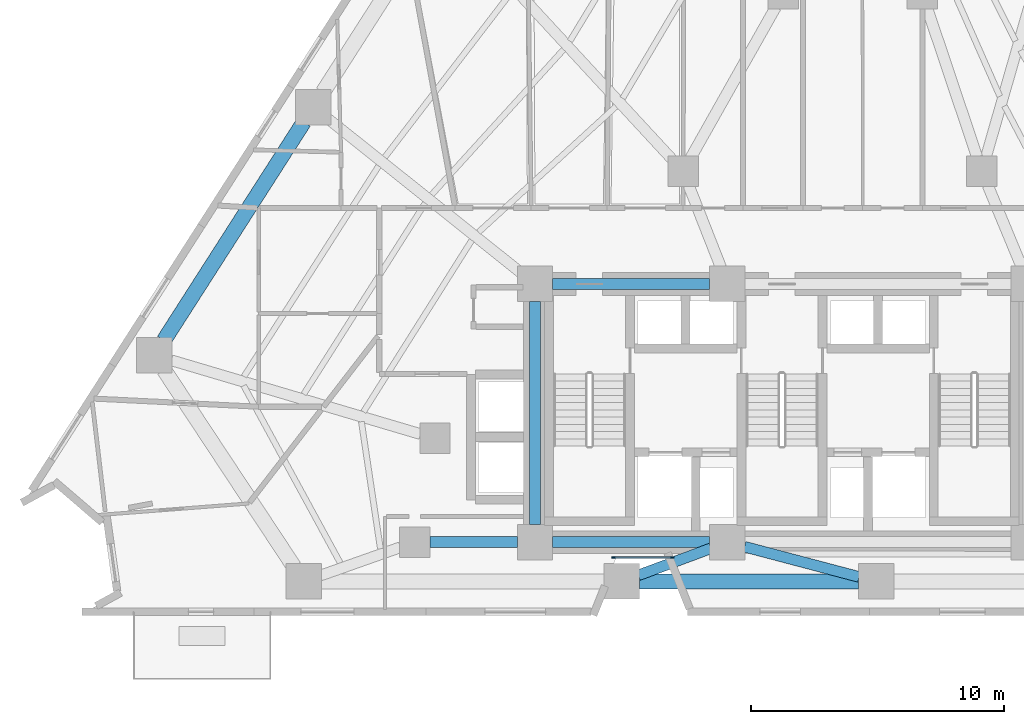
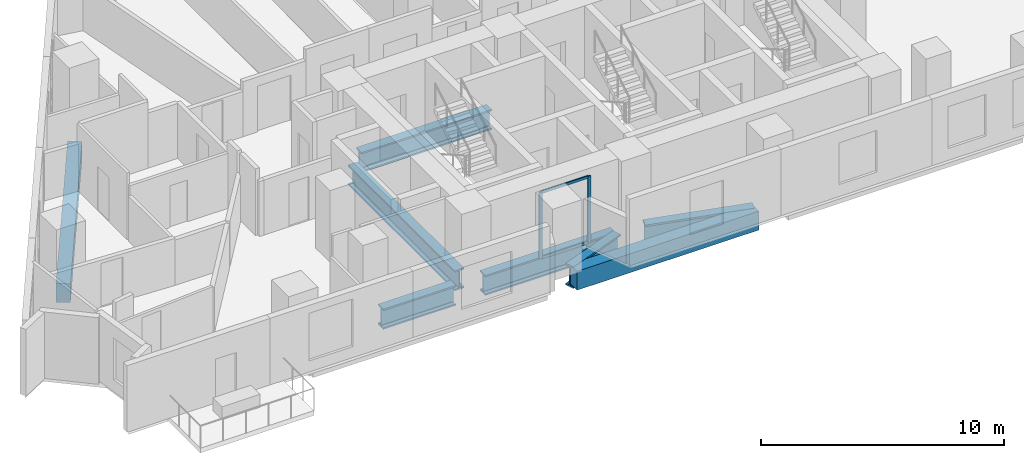
# One storey, part 2 of 15: 8 beams, 4 members, 1 element without a shape of its own.
"""IFC4 building model written with IfcOpenShell, lengths in metres."""

from ifc_helpers import new_model, si_unit, direction, frame, origin, origin_2d, place, context, subcontext, project, spatial, rectangle, i_section, extrude, material, layer, layer_set, material_profile, profile_set, type_object, element, aggregate, save


model = new_model("IFC4")

# Units and contexts
model_context = context("Model", 3, precision=1e-05, world=origin(), true_north=direction((0.0, 1.0)))
body_context = subcontext(model_context, "Body", "Model", "MODEL_VIEW")
ifc_project = project(units=[si_unit("LENGTHUNIT", "METRE"), si_unit("AREAUNIT", "SQUARE_METRE"), si_unit("VOLUMEUNIT", "CUBIC_METRE"), si_unit("PLANEANGLEUNIT", "RADIAN"), si_unit("MASSUNIT", "GRAM", prefix="KILO")], contexts=[model_context])

# Site, building, storey
site_placement = place(None, origin())
site = spatial("IfcSite", under=ifc_project, at=site_placement, CompositionType="ELEMENT")
building_placement = place(site_placement, origin())
building = spatial("IfcBuilding", under=site, at=building_placement, Name="Almagre Mirador Tower", CompositionType="ELEMENT")
storey_placement = place(building_placement, frame((0.0, 0.0, 39.0)))
storey = spatial("IfcBuildingStorey", under=building, at=storey_placement, Name="L08", CompositionType="ELEMENT", Elevation=39.0)

# Beams
ifc_material_1 = material(Name="Precast concrete C50/60", Category="concrete")
ifc_material_profile_1 = material_profile(ifc_material_1, rectangle(XDim=0.60009765625, YDim=0.949951171875, at=origin_2d()), Name="RC600X950")
ifc_profile_set_1 = profile_set([ifc_material_profile_1], Name="Precast concrete C50/60")
beam_type_1 = type_object("IfcBeamType", Name="BM-SPN-RC600X950", PredefinedType="SPANDREL", material=ifc_profile_set_1)
beam_1_placement = place(storey_placement, frame((31.676025390625, 3.0, -0.72509765625), z_axis=(1.0, 0.0, 0.0), x_axis=(0.0, 1.0, 0.0)))
element("IfcBeam", 1, at=beam_1_placement, inside=storey, type_object=beam_type_1, Name="L08 perimeter spandrel beam PC02-PC03", PredefinedType="SPANDREL", context=body_context, shape_type="SweptSolid", body=[
    extrude(rectangle(XDim=0.60009765625, YDim=0.949951171875, at=origin_2d()), origin(), (0.0, 0.0, 1.0), 8.64794921875),
])
beam_2_placement = place(storey_placement, frame((18.42041015625, 21.1435546875, -0.72509765625), z_axis=(-0.539549548581, -0.841953849463, 0.0), x_axis=(0.841953849463, -0.539549548581, 0.0)))
element("IfcBeam", 2, at=beam_2_placement, inside=storey, type_object=beam_type_1, Name="L08 perimeter spandrel beam PC11-PC12", PredefinedType="SPANDREL", context=body_context, shape_type="SweptSolid", body=[
    extrude(rectangle(XDim=0.60009765625, YDim=0.949951171875, at=origin_2d()), origin(), (0.0, 0.0, 1.0), 10.239501953125),
])
ifc_material_2 = material(Name="Steel ASTM A992 Grade 50", Category="steel")
ifc_material_profile_2 = material_profile(ifc_material_2, i_section(OverallWidth=0.43701171875, OverallDepth=1.010986328125, WebThickness=0.041015625, FlangeThickness=0.073974609375, FilletRadius=0.028076171875, at=origin_2d()), Name="W36X529")
ifc_profile_set_2 = profile_set([ifc_material_profile_2], Name="Steel ASTM A992 Grade 50")
beam_type_2 = type_object("IfcBeamType", Name="BM-STL-W36X529", PredefinedType="BEAM", material=ifc_profile_set_2)
for number, where, z_axis, x_axis, name in (
    (3, (28.25, 4.550048828125, -0.755615234375), (1.0, 0.0, 0.0), (0.0, 1.0, 0.0), "L08 core tie girder CC1-CC2"),
    (4, (28.25, 14.75, -0.755615234375), (1.0, 0.0, 0.0), (0.0, 1.0, 0.0), "L08 core tie girder CC4-CC5"),
):
    element("IfcBeam", number, at=place(storey_placement, frame(where, z_axis=z_axis, x_axis=x_axis)), inside=storey, type_object=beam_type_2, Name=name, PredefinedType="BEAM", context=body_context, shape_type="SweptSolid", body=[
        extrude(i_section(OverallWidth=0.43701171875, OverallDepth=1.010986328125, WebThickness=0.041015625, FlangeThickness=0.073974609375, FilletRadius=0.028076171875, at=origin_2d()), origin(), (0.0, 0.0, 1.0), 6.199951171875),
    ])
beam_3_placement = place(storey_placement, frame((27.550048828125, 5.25, -0.755615234375), z_axis=(0.0, 1.0, 0.0), x_axis=(-1.0, 0.0, 0.0)))
element("IfcBeam", 5, at=beam_3_placement, inside=storey, type_object=beam_type_2, Name="L08 core tie girder CC1-CC4", PredefinedType="BEAM", context=body_context, shape_type="SweptSolid", body=[
    extrude(i_section(OverallWidth=0.43701171875, OverallDepth=1.010986328125, WebThickness=0.041015625, FlangeThickness=0.073974609375, FilletRadius=0.028076171875, at=origin_2d()), origin(), (0.0, 0.0, 1.0), 8.800048828125),
])
beam_4_placement = place(storey_placement, frame((23.39990234375, 4.550048828125, -0.755615234375), z_axis=(1.0, 0.0, 0.0), x_axis=(0.0, 1.0, 0.0)))
element("IfcBeam", 6, at=beam_4_placement, inside=storey, type_object=beam_type_2, Name="L08 core tie girder MC1-CC1", PredefinedType="BEAM", context=body_context, shape_type="SweptSolid", body=[
    extrude(i_section(OverallWidth=0.43701171875, OverallDepth=1.010986328125, WebThickness=0.041015625, FlangeThickness=0.073974609375, FilletRadius=0.028076171875, at=origin_2d()), origin(), (0.0, 0.0, 1.0), 3.4501953125),
])
ifc_material_3 = material(Name="Steel ASTM A913 Grade 65", Category="steel")
ifc_material_profile_3 = material_profile(ifc_material_3, i_section(OverallWidth=0.424072265625, OverallDepth=1.092041015625, WebThickness=0.04541015625, FlangeThickness=0.08203125, FilletRadius=0.030029296875, at=origin_2d()), Name="W40X593")
ifc_profile_set_3 = profile_set([ifc_material_profile_3], Name="Steel ASTM A913 Grade 65")
beam_type_3 = type_object("IfcBeamType", Name="BM-STL-W40X593", PredefinedType="BEAM", material=ifc_profile_set_3)
beam_5_placement = place(storey_placement, frame((31.632080078125, 3.24365234375, -0.7958984375), z_axis=(0.937448389948, 0.348124282669, 0.0), x_axis=(-0.348124282669, 0.937448389948, 0.0)))
element("IfcBeam", 7, at=beam_5_placement, inside=storey, type_object=beam_type_3, Name="L08 radial floor girder PC02-CC2", PredefinedType="BEAM", context=body_context, shape_type="SweptSolid", body=[
    extrude(i_section(OverallWidth=0.424072265625, OverallDepth=1.092041015625, WebThickness=0.04541015625, FlangeThickness=0.08203125, FilletRadius=0.030029296875, at=origin_2d()), origin(), (0.0, 0.0, 1.0), 3.052734375),
])
beam_6_placement = place(storey_placement, frame((40.34716796875, 3.1787109375, -0.7958984375), z_axis=(-0.966911988655, 0.255110184422, 0.0), x_axis=(-0.255110184422, -0.966911988655, 0.0)))
element("IfcBeam", 8, at=beam_6_placement, inside=storey, type_object=beam_type_3, Name="L08 radial floor girder PC03-CC2", PredefinedType="BEAM", context=body_context, shape_type="SweptSolid", body=[
    extrude(i_section(OverallWidth=0.424072265625, OverallDepth=1.092041015625, WebThickness=0.04541015625, FlangeThickness=0.08203125, FilletRadius=0.030029296875, at=origin_2d()), origin(), (0.0, 0.0, 1.0), 4.675048828125),
])

# Curtain wall, members
ifc_material_4 = material(Name="Black anodized aluminium", Category="aluminium")
ifc_layer = layer(ifc_material_4, 0.169921875)
ifc_layer_set = layer_set([ifc_layer], Name="Black anodized aluminium")
curtain_wall_type = type_object("IfcCurtainWallType", Name="CW-CRS-SYS", PredefinedType="NOTDEFINED", material=ifc_layer_set)
curtain_wall_placement = place(storey_placement, origin())
curtain_wall = element("IfcCurtainWall", 9, at=curtain_wall_placement, inside=storey, type_object=curtain_wall_type, Name="L08 vertical crease curtain wall 04", PredefinedType="NOTDEFINED")
ifc_material_5 = material(Name="Black anodized aluminium", Category="aluminium")
ifc_material_profile_4 = material_profile(ifc_material_5, rectangle(XDim=0.06005859375, YDim=0.14990234375, at=origin_2d()), Name="CWM60X150")
ifc_profile_set_4 = profile_set([ifc_material_profile_4], Name="Black anodized aluminium")
member_type_1 = type_object("IfcMemberType", Name="MBR-CWM60X150", PredefinedType="MULLION", material=ifc_profile_set_4)
member_1_placement = place(storey_placement, frame((32.962890625, 3.949951171875, 0.0), z_axis=(0.0, 0.0, 1.0), x_axis=(0.0, -1.0, 0.0)))
member_1 = element("IfcMember", 10, at=member_1_placement, type_object=member_type_1, Name="CW-4 mullion 1", PredefinedType="MULLION", context=body_context, shape_type="SweptSolid", body=[
    extrude(rectangle(XDim=0.06005859375, YDim=0.14990234375, at=origin_2d()), origin(), (0.0, 0.0, 1.0), 3.35009765625),
])
member_2_placement = place(storey_placement, frame((30.653076171875, 3.949951171875, 0.0), z_axis=(0.0, 0.0, 1.0), x_axis=(0.0, -1.0, 0.0)))
member_2 = element("IfcMember", 11, at=member_2_placement, type_object=member_type_1, Name="CW-4 mullion 2", PredefinedType="MULLION", context=body_context, shape_type="SweptSolid", body=[
    extrude(rectangle(XDim=0.06005859375, YDim=0.14990234375, at=origin_2d()), origin(), (0.0, 0.0, 1.0), 3.35009765625),
])
ifc_material_6 = material(Name="Black anodized aluminium", Category="aluminium")
ifc_material_profile_5 = material_profile(ifc_material_6, rectangle(XDim=0.06005859375, YDim=0.1298828125, at=origin_2d()), Name="CWT60X130")
ifc_profile_set_5 = profile_set([ifc_material_profile_5], Name="Black anodized aluminium")
member_type_2 = type_object("IfcMemberType", Name="MBR-CWT60X130", PredefinedType="USERDEFINED", material=ifc_profile_set_5)
member_3_placement = place(storey_placement, frame((32.93310546875, 3.949951171875, 0.030029296875), z_axis=(-1.0, 0.0, 0.0), x_axis=(0.0, -1.0, 0.0)))
member_3 = element("IfcMember", 12, at=member_3_placement, type_object=member_type_2, Name="CW-4 transom 1.1", ObjectType="TRANSOM", PredefinedType="USERDEFINED", context=body_context, shape_type="SweptSolid", body=[
    extrude(rectangle(XDim=0.06005859375, YDim=0.1298828125, at=origin_2d()), origin(), (0.0, 0.0, 1.0), 2.25),
])
member_4_placement = place(storey_placement, frame((32.93310546875, 3.949951171875, 3.320068359375), z_axis=(-1.0, 0.0, 0.0), x_axis=(0.0, -1.0, 0.0)))
member_4 = element("IfcMember", 13, at=member_4_placement, type_object=member_type_2, Name="CW-4 transom 1.2", ObjectType="TRANSOM", PredefinedType="USERDEFINED", context=body_context, shape_type="SweptSolid", body=[
    extrude(rectangle(XDim=0.06005859375, YDim=0.1298828125, at=origin_2d()), origin(), (0.0, 0.0, 1.0), 2.25),
])
aggregate(curtain_wall, [member_1, member_2, member_3, member_4])

save(model, "model.ifc")
